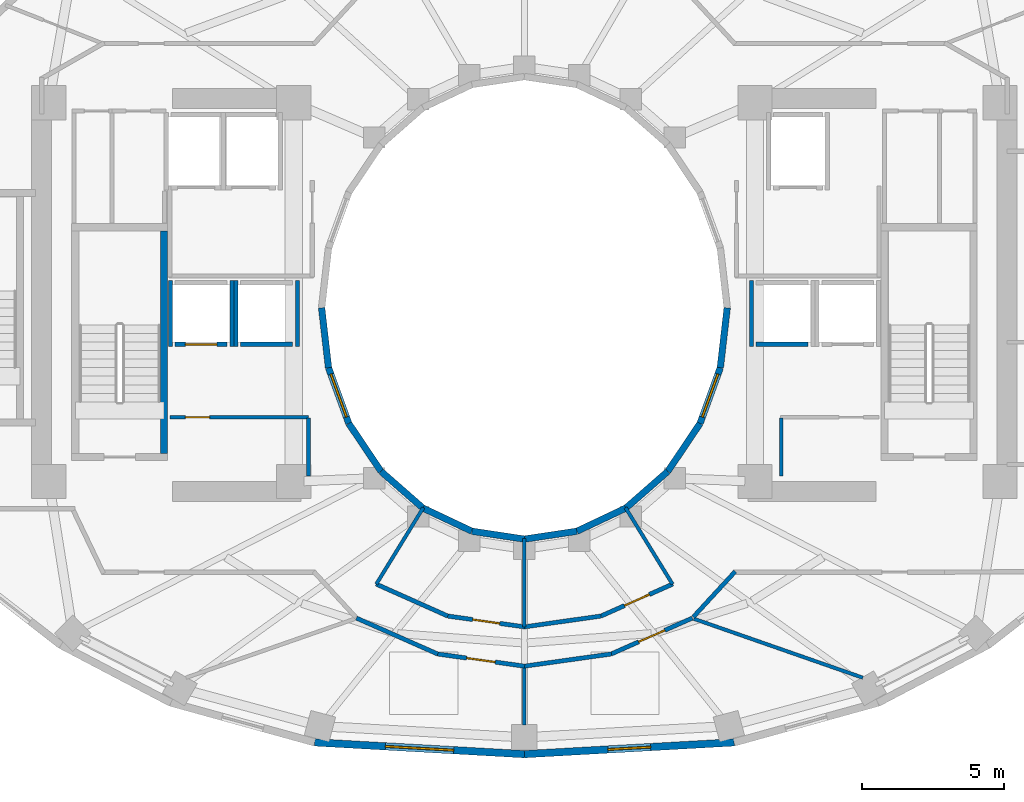
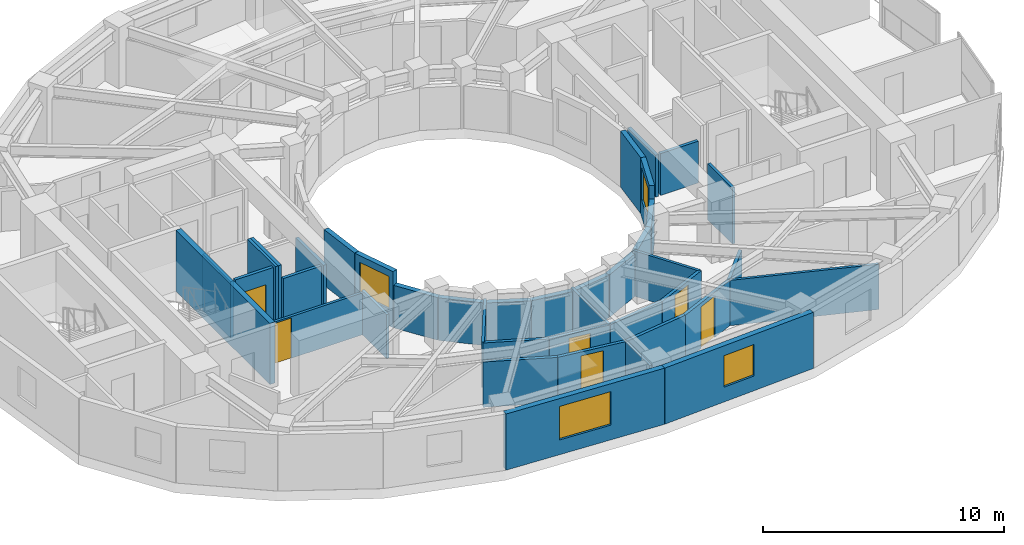
# One storey, part 6 of 13: 40 walls, 6 doors, 4 windows, 10 openings.
"""IFC4 building model written with IfcOpenShell, lengths in metres."""

import ifcopenshell
import ifcopenshell.guid

model = None  # the IFC model being written
_history = None  # IfcOwnerHistory: only IFC2X3 demands one
_inside = {}  # id of a spatial element -> (the spatial element, [elements in it])
_under = {}  # id of a project, library or spatial element -> (it, [spatial elements below it])
_declared = {}  # id of a project -> (the project, [libraries it declares])
_typed = {}  # id of a type object -> (the type object, [elements of that type])
_made_of = {}  # id of a material, layer set ... -> (it, [elements and type objects made of it])


def new_model(schema):
    """Start an empty IFC model of exactly this schema.

    Asked for "IFC4X3", IfcOpenShell would pick the latest addendum, in which some entities
    have other attributes; the version numbers below select the first issue.
    IFC2X3 requires an IfcOwnerHistory on every rooted entity: one is made here for all.
    """
    global model, _history
    if schema == "IFC4X3":
        model = ifcopenshell.file(schema_version=(4, 3, 0, 0))
    else:
        model = ifcopenshell.file(schema=schema)
    _inside.clear()
    _under.clear()
    _declared.clear()
    _typed.clear()
    _made_of.clear()
    _history = None
    if model.schema == "IFC2X3":
        org = make("IfcOrganization", Name="unknown")
        user = make(
            "IfcPersonAndOrganization",
            ThePerson=make("IfcPerson", FamilyName="unknown"),
            TheOrganization=org,
        )
        app = make(
            "IfcApplication",
            ApplicationDeveloper=org,
            Version="unknown",
            ApplicationFullName="unknown",
            ApplicationIdentifier="unknown",
        )
        _history = make(
            "IfcOwnerHistory",
            OwningUser=user,
            OwningApplication=app,
            ChangeAction="ADDED",
            CreationDate=0,
        )
    return model


def make(cls, **values):
    """One entity of the class cls with the attributes given. An attribute that is None is left unset."""
    return model.create_entity(
        cls, **{name: value for name, value in values.items() if value is not None}
    )


def rooted(cls, **values):
    """An entity with a GlobalId (a new one), such as an element, a storey or a relation."""
    return make(cls, GlobalId=ifcopenshell.guid.new(), OwnerHistory=_history, **values)


def si_unit(unit_type, name, prefix=None):
    """IfcSIUnit, for example si_unit("LENGTHUNIT", "METRE", prefix="MILLI")."""
    return make("IfcSIUnit", UnitType=unit_type, Prefix=prefix, Name=name)


def assignment(units):
    """IfcUnitAssignment: the units of a project."""
    return None if units is None else make("IfcUnitAssignment", Units=units)


def point(xyz):
    """IfcCartesianPoint."""
    return None if xyz is None else make("IfcCartesianPoint", Coordinates=xyz)


def direction(xyz):
    """IfcDirection."""
    return None if xyz is None else make("IfcDirection", DirectionRatios=xyz)


def frame(location, z_axis=None, x_axis=None):
    """IfcAxis2Placement3D, a coordinate frame: its origin and axes. An axis left out is left unset."""
    return make(
        "IfcAxis2Placement3D",
        Location=point(location),
        Axis=direction(z_axis),
        RefDirection=direction(x_axis),
    )


def frame_2d(location, x_axis=None):
    """IfcAxis2Placement2D, a coordinate frame in the plane: its origin and x axis."""
    return make(
        "IfcAxis2Placement2D", Location=point(location), RefDirection=direction(x_axis)
    )


def origin():
    """The frame at (0, 0, 0) with its axes left unset."""
    return frame((0.0, 0.0, 0.0))


def place(relative_to, where):
    """IfcLocalPlacement: puts the frame where relative to a parent placement (None: the world)."""
    return make(
        "IfcLocalPlacement", PlacementRelTo=relative_to, RelativePlacement=where
    )


def context(
    kind, dimensions, precision=None, world=None, true_north=None, identifier=None
):
    """IfcGeometricRepresentationContext, for example the 3D "Model" context."""
    return make(
        "IfcGeometricRepresentationContext",
        ContextIdentifier=identifier,
        ContextType=kind,
        CoordinateSpaceDimension=dimensions,
        Precision=precision,
        WorldCoordinateSystem=world,
        TrueNorth=true_north,
    )


def subcontext(parent, identifier, kind, view, scale=None):
    """IfcGeometricRepresentationSubContext, for example "Body" below "Model"."""
    return make(
        "IfcGeometricRepresentationSubContext",
        ContextIdentifier=identifier,
        ContextType=kind,
        ParentContext=parent,
        TargetScale=scale,
        TargetView=view,
    )


def project(units=None, contexts=None):
    """IfcProject with its units and contexts."""
    return rooted(
        "IfcProject",
        Name="project",
        RepresentationContexts=contexts,
        UnitsInContext=assignment(units),
    )


def spatial(cls, under=None, at=None, **own):
    """A site, building, storey or space (cls), placed at a placement, below another one or the project."""
    s = rooted(cls, ObjectPlacement=at, **own)
    if under is not None:
        _under.setdefault(under.id(), (under, []))[1].append(s)
    return s


def profile(cls, at=None, kind="AREA", **sizes):
    """A parametric profile (cls). Its sizes go by their IFC names, for example OverallWidth=200.0."""
    return make(cls, ProfileType=kind, Position=at, **sizes)


def rectangle(**sizes):
    """IfcRectangleProfileDef."""
    return profile("IfcRectangleProfileDef", **sizes)


def extrude(swept, where, along, depth):
    """IfcExtrudedAreaSolid: the profile swept, set in the frame where, extruded along a direction by depth."""
    return make(
        "IfcExtrudedAreaSolid",
        SweptArea=swept,
        Position=where,
        ExtrudedDirection=direction(along),
        Depth=depth,
    )


def shape(context_of_items, identifier, shape_type, items):
    """IfcShapeRepresentation: the items that make up one representation, for example the "Body"."""
    return make(
        "IfcShapeRepresentation",
        ContextOfItems=context_of_items,
        RepresentationIdentifier=identifier,
        RepresentationType=shape_type,
        Items=items,
    )


def material(Name=None, Category=None):
    """IfcMaterial."""
    return make("IfcMaterial", Name=Name, Category=Category)


def layer(
    of_material, thickness, ventilated=None, Name=None, Category=None, Priority=None
):
    """IfcMaterialLayer: one layer of a wall or slab, of a material (None: an air gap)."""
    return make(
        "IfcMaterialLayer",
        Material=of_material,
        LayerThickness=thickness,
        IsVentilated=ventilated,
        Name=Name,
        Category=Category,
        Priority=Priority,
    )


def layer_set(layers, Name=None):
    """IfcMaterialLayerSet."""
    return make("IfcMaterialLayerSet", MaterialLayers=layers, LayerSetName=Name)


def made_of(thing, what):
    """Note that an element or type object is made of a material, layer set ...; save() writes the relation."""
    if what is not None:
        _made_of.setdefault(what.id(), (what, []))[1].append(thing)
    return thing


def type_object(cls, material=None, **own):
    """A type object (cls), such as IfcWallType, which elements share."""
    return made_of(rooted(cls, **own), material)


def element(
    cls,
    number,
    at=None,
    inside=None,
    cuts=None,
    type_object=None,
    material=None,
    context=None,
    identifier="Body",
    shape_type=None,
    held_by="IfcProductDefinitionShape",
    body=None,
    shapes=None,
    **own,
):
    """One element of the class cls, such as IfcWall. Its Tag is "e" and its number.

    at: its placement. inside: the storey or other place that contains it. cuts: it is an
    opening in that element (IfcRelVoidsElement). A single representation is given by context,
    identifier, shape_type and body (its items); several are given by shapes. held_by: the class
    of the entity that holds the representations. save() writes the other relations.
    """
    e = rooted(cls, Tag="e%d" % number, ObjectPlacement=at, **own)
    if body is not None:
        shapes = [shape(context, identifier, shape_type, body)]
    if shapes is not None:
        e.Representation = make(held_by, Representations=shapes)
    if inside is not None:
        _inside.setdefault(inside.id(), (inside, []))[1].append(e)
    if cuts is not None:
        rooted(
            "IfcRelVoidsElement", RelatingBuildingElement=cuts, RelatedOpeningElement=e
        )
    if type_object is not None:
        _typed.setdefault(type_object.id(), (type_object, []))[1].append(e)
    return made_of(e, material)


def fill(opening, filler):
    """IfcRelFillsElement: the door or window that sits in an opening."""
    return rooted(
        "IfcRelFillsElement",
        RelatingOpeningElement=opening,
        RelatedBuildingElement=filler,
    )


def aggregate(whole, parts):
    """IfcRelAggregates: a whole, such as a stair, and the parts it consists of."""
    return rooted("IfcRelAggregates", RelatingObject=whole, RelatedObjects=parts)


def save(model, path):
    """Write the relations noted so far, then the file.

    IfcRelAggregates (storeys below a building ...), IfcRelContainedInSpatialStructure (elements
    in a storey), IfcRelDefinesByType, IfcRelAssociatesMaterial and IfcRelDeclares: one each for
    every whole, place, type object, material and project.
    """
    for whole, parts in _under.values():
        aggregate(whole, parts)
    for where, things in _inside.values():
        rooted(
            "IfcRelContainedInSpatialStructure",
            RelatedElements=things,
            RelatingStructure=where,
        )
    for kind, things in _typed.values():
        rooted("IfcRelDefinesByType", RelatedObjects=things, RelatingType=kind)
    for what, things in _made_of.values():
        rooted("IfcRelAssociatesMaterial", RelatedObjects=things, RelatingMaterial=what)
    for by, libraries in _declared.values():
        rooted("IfcRelDeclares", RelatingContext=by, RelatedDefinitions=libraries)
    model.write(path)


model = new_model("IFC4")

# Units and contexts
model_context = context("Model", 3, precision=1e-05, world=origin(), true_north=direction((0.0, 1.0)))
body_context = subcontext(model_context, "Body", "Model", "MODEL_VIEW")
ifc_project = project(units=[si_unit("LENGTHUNIT", "METRE"), si_unit("AREAUNIT", "SQUARE_METRE"), si_unit("VOLUMEUNIT", "CUBIC_METRE"), si_unit("PLANEANGLEUNIT", "RADIAN"), si_unit("MASSUNIT", "GRAM", prefix="KILO")], contexts=[model_context])

# Site, building, storey
site_placement = place(None, origin())
site = spatial("IfcSite", under=ifc_project, at=site_placement, CompositionType="ELEMENT")
building_placement = place(site_placement, origin())
building = spatial("IfcBuilding", under=site, at=building_placement, Name="Solvane Sanctuary Tower", CompositionType="ELEMENT")
storey_placement = place(building_placement, frame((0.0, 0.0, 152.89990234375)))
storey = spatial("IfcBuildingStorey", under=building, at=storey_placement, Name="L46", CompositionType="ELEMENT", Elevation=152.89990234375)

# Walls
ifc_material_1 = material(Name="Acoustic Gypsum Partition Board")
ifc_layer_1 = layer(ifc_material_1, 0.14990234375, Name="Acoustic Gypsum Partition Board")
ifc_layer_set_1 = layer_set([ifc_layer_1], Name="Acoustic Gypsum Partition Board")
wall_type_1 = type_object("IfcWallType", Name="Wall W-CORR-150", PredefinedType="PARTITIONING", material=ifc_layer_set_1)
wall_1_placement = place(storey_placement, frame((37.92822265625, 12.144287109375, 0.0), z_axis=(0.0, 0.0, 1.0), x_axis=(0.677579737957, 0.735449317567, 0.0)))
element("IfcWall", 1, at=wall_1_placement, inside=storey, type_object=wall_type_1, Name="L46 SE Corner Throat Wall", PredefinedType="PARTITIONING", context=body_context, shape_type="SweptSolid", body=[
    extrude(rectangle(XDim=2.172607421875, YDim=0.14990234375, at=frame_2d((1.08642578125, 0.0))), origin(), (0.0, 0.0, 1.0), 2.299072265625),
])
wall_2_placement = place(storey_placement, frame((26.792724609375, 13.302734375, 0.0), z_axis=(0.0, 0.0, 1.0), x_axis=(0.913145536541, -0.407633694749, 0.0)))
element("IfcWall", 2, at=wall_2_placement, inside=storey, type_object=wall_type_1, Name="L46 Inner Light-Well Corridor Wall S1", PredefinedType="PARTITIONING", context=body_context, shape_type="SweptSolid", body=[
    extrude(rectangle(XDim=2.75634765625, YDim=0.14990234375, at=frame_2d((1.378173828125, 0.0))), origin(), (0.0, 0.0, 1.0), 2.299072265625),
])

# Wall, opening, door
wall_3_placement = place(storey_placement, frame((29.305908203125, 12.18017578125, 0.0), z_axis=(0.0, 0.0, 1.0), x_axis=(0.990145400278, -0.140043158738, 0.0)))
wall_3 = element("IfcWall", 3, at=wall_3_placement, inside=storey, type_object=wall_type_1, Name="L46 Inner Light-Well Corridor Wall S1", PredefinedType="PARTITIONING", context=body_context, shape_type="SweptSolid", body=[
    extrude(rectangle(XDim=2.728271484375, YDim=0.14990234375, at=frame_2d((1.3642578125, 0.0))), origin(), (0.0, 0.0, 1.0), 2.299072265625),
])
opening_1_placement = place(wall_3_placement, frame((0.88916015625, 0.0, 0.0)))
opening_1 = element("IfcOpeningElement", 4, at=opening_1_placement, cuts=wall_3, Name="Opening D-L46-21", PredefinedType="OPENING", context=body_context, shape_type="SweptSolid", body=[
    extrude(rectangle(XDim=0.949951171875, YDim=2.10009765625, at=frame_2d((0.47509765625, 1.050048828125))), frame((0.0, 0.0849609375, 0.0), z_axis=(0.0, -1.0, 0.0), x_axis=(1.0, 0.0, 0.0)), (0.0, 0.0, 1.0), 0.169921875),
])
ifc_material_2 = material(Name="Engineered Tropical Hardwood", Category="wood")
door_type_1 = type_object("IfcDoorType", Name="Door D-ROOM-950", OperationType="NOTDEFINED", PredefinedType="DOOR", material=ifc_material_2)
door_1_placement = place(opening_1_placement, origin())
door_1 = element("IfcDoor", 5, at=door_1_placement, inside=storey, type_object=door_type_1, Name="L46 Inner Light-Well Salon Door S1", OperationType="SINGLE_SWING_LEFT", OverallHeight=2.10009765625, OverallWidth=0.949951171875, PredefinedType="DOOR", context=body_context, shape_type="SweptSolid", body=[
    extrude(rectangle(XDim=0.949951171875, YDim=2.10009765625, at=frame_2d((0.47509765625, 1.050048828125))), frame((0.0, 0.02490234375, 0.0), z_axis=(0.0, -1.0, 0.0), x_axis=(1.0, 0.0, 0.0)), (0.0, 0.0, 1.0), 0.050048828125),
])
fill(opening_1, door_1)

# Wall
wall_4_placement = place(storey_placement, frame((31.99267578125, 11.798095703125, 0.0), z_axis=(0.0, 0.0, 1.0), x_axis=(0.990145400278, 0.140043158738, 0.0)))
element("IfcWall", 6, at=wall_4_placement, inside=storey, type_object=wall_type_1, Name="L46 Inner Light-Well Corridor Wall S2", PredefinedType="PARTITIONING", context=body_context, shape_type="SweptSolid", body=[
    extrude(rectangle(XDim=2.728271484375, YDim=0.14990234375, at=frame_2d((1.3642578125, 0.0))), origin(), (0.0, 0.0, 1.0), 2.299072265625),
])

# Wall, opening, door
wall_5_placement = place(storey_placement, frame((34.6904296875, 12.17919921875, 0.0), z_axis=(0.0, 0.0, 1.0), x_axis=(0.913145536541, 0.407633694749, 0.0)))
wall_5 = element("IfcWall", 7, at=wall_5_placement, inside=storey, type_object=wall_type_1, Name="L46 Inner Light-Well Corridor Wall S2", PredefinedType="PARTITIONING", context=body_context, shape_type="SweptSolid", body=[
    extrude(rectangle(XDim=2.75634765625, YDim=0.14990234375, at=frame_2d((1.378173828125, 0.0))), origin(), (0.0, 0.0, 1.0), 2.299072265625),
])
opening_2_placement = place(wall_5_placement, frame((0.903076171875, 0.0, 0.0)))
opening_2 = element("IfcOpeningElement", 8, at=opening_2_placement, cuts=wall_5, Name="Opening D-L46-22", PredefinedType="OPENING", context=body_context, shape_type="SweptSolid", body=[
    extrude(rectangle(XDim=0.949951171875, YDim=2.10009765625, at=frame_2d((0.47509765625, 1.050048828125))), frame((0.0, 0.0849609375, 0.0), z_axis=(0.0, -1.0, 0.0), x_axis=(1.0, 0.0, 0.0)), (0.0, 0.0, 1.0), 0.169921875),
])
door_2_placement = place(opening_2_placement, origin())
door_2 = element("IfcDoor", 9, at=door_2_placement, inside=storey, type_object=door_type_1, Name="L46 Inner Light-Well Salon Door S2", OperationType="SINGLE_SWING_RIGHT", OverallHeight=2.10009765625, OverallWidth=0.949951171875, PredefinedType="DOOR", context=body_context, shape_type="SweptSolid", body=[
    extrude(rectangle(XDim=0.949951171875, YDim=2.10009765625, at=frame_2d((0.47509765625, 1.050048828125))), frame((0.0, 0.02490234375, 0.0), z_axis=(0.0, -1.0, 0.0), x_axis=(1.0, 0.0, 0.0)), (0.0, 0.0, 1.0), 0.050048828125),
])
fill(opening_2, door_2)

# Wall
wall_6_placement = place(storey_placement, frame((26.101806640625, 12.108154296875, 0.0), z_axis=(0.0, 0.0, 1.0), x_axis=(0.914519212393, -0.40454247016, 0.0)))
element("IfcWall", 10, at=wall_6_placement, inside=storey, type_object=wall_type_1, Name="L46 Unit Corridor Wall S1", PredefinedType="PARTITIONING", context=body_context, shape_type="SweptSolid", body=[
    extrude(rectangle(XDim=3.123779296875, YDim=0.14990234375, at=frame_2d((1.56201171875, 0.0))), origin(), (0.0, 0.0, 1.0), 2.299072265625),
])

# Wall, opening, door
wall_7_placement = place(storey_placement, frame((28.942626953125, 10.84912109375, 0.0), z_axis=(0.0, 0.0, 1.0), x_axis=(0.990254709652, -0.13926812274, 0.0)))
wall_7 = element("IfcWall", 11, at=wall_7_placement, inside=storey, type_object=wall_type_1, Name="L46 Unit Corridor Wall S1", PredefinedType="PARTITIONING", context=body_context, shape_type="SweptSolid", body=[
    extrude(rectangle(XDim=3.095947265625, YDim=0.14990234375, at=frame_2d((1.5478515625, 0.0))), origin(), (0.0, 0.0, 1.0), 2.299072265625),
])
opening_3_placement = place(wall_7_placement, frame((1.0478515625, 0.0, 0.0)))
opening_3 = element("IfcOpeningElement", 12, at=opening_3_placement, cuts=wall_7, Name="Opening D-L46-28", PredefinedType="OPENING", context=body_context, shape_type="SweptSolid", body=[
    extrude(rectangle(XDim=1.0, YDim=2.10009765625, at=frame_2d((0.5, 1.050048828125))), frame((0.0, 0.0849609375, 0.0), z_axis=(0.0, -1.0, 0.0), x_axis=(1.0, 0.0, 0.0)), (0.0, 0.0, 1.0), 0.169921875),
])
door_type_2 = type_object("IfcDoorType", Name="Door D-UNIT", OperationType="NOTDEFINED", PredefinedType="DOOR", material=ifc_material_2)
door_3_placement = place(opening_3_placement, origin())
door_3 = element("IfcDoor", 13, at=door_3_placement, inside=storey, type_object=door_type_2, Name="L46 Unit Entrance Door S1", OperationType="SINGLE_SWING_RIGHT", OverallHeight=2.10009765625, OverallWidth=1.0, PredefinedType="DOOR", context=body_context, shape_type="SweptSolid", body=[
    extrude(rectangle(XDim=1.0, YDim=2.10009765625, at=frame_2d((0.5, 1.050048828125))), frame((0.0, 0.02490234375, 0.0), z_axis=(0.0, -1.0, 0.0), x_axis=(1.0, 0.0, 0.0)), (0.0, 0.0, 1.0), 0.050048828125),
])
fill(opening_3, door_3)

# Wall
wall_8_placement = place(storey_placement, frame((31.99169921875, 10.41796875, 0.0), z_axis=(0.0, 0.0, 1.0), x_axis=(0.990254709652, 0.13926812274, 0.0)))
element("IfcWall", 14, at=wall_8_placement, inside=storey, type_object=wall_type_1, Name="L46 Unit Corridor Wall S2", PredefinedType="PARTITIONING", context=body_context, shape_type="SweptSolid", body=[
    extrude(rectangle(XDim=3.095947265625, YDim=0.14990234375, at=frame_2d((1.5478515625, 0.0))), origin(), (0.0, 0.0, 1.0), 2.299072265625),
])

# Wall, opening, door
wall_9_placement = place(storey_placement, frame((35.04150390625, 10.844482421875, 0.0), z_axis=(0.0, 0.0, 1.0), x_axis=(0.914519212393, 0.40454247016, 0.0)))
wall_9 = element("IfcWall", 15, at=wall_9_placement, inside=storey, type_object=wall_type_1, Name="L46 Unit Corridor Wall S2", PredefinedType="PARTITIONING", context=body_context, shape_type="SweptSolid", body=[
    extrude(rectangle(XDim=3.123779296875, YDim=0.14990234375, at=frame_2d((1.56201171875, 0.0))), origin(), (0.0, 0.0, 1.0), 2.299072265625),
])
opening_4_placement = place(wall_9_placement, frame((1.061767578125, 0.0, 0.0)))
opening_4 = element("IfcOpeningElement", 16, at=opening_4_placement, cuts=wall_9, Name="Opening D-L46-29", PredefinedType="OPENING", context=body_context, shape_type="SweptSolid", body=[
    extrude(rectangle(XDim=1.0, YDim=2.10009765625, at=frame_2d((0.5, 1.050048828125))), frame((0.0, 0.0849609375, 0.0), z_axis=(0.0, -1.0, 0.0), x_axis=(1.0, 0.0, 0.0)), (0.0, 0.0, 1.0), 0.169921875),
])
door_4_placement = place(opening_4_placement, origin())
door_4 = element("IfcDoor", 17, at=door_4_placement, inside=storey, type_object=door_type_2, Name="L46 Unit Entrance Door S2", OperationType="SINGLE_SWING_LEFT", OverallHeight=2.10009765625, OverallWidth=1.0, PredefinedType="DOOR", context=body_context, shape_type="SweptSolid", body=[
    extrude(rectangle(XDim=1.0, YDim=2.10009765625, at=frame_2d((0.5, 1.050048828125))), frame((0.0, 0.02490234375, 0.0), z_axis=(0.0, -1.0, 0.0), x_axis=(1.0, 0.0, 0.0)), (0.0, 0.0, 1.0), 0.050048828125),
])
fill(opening_4, door_4)

# Wall, opening, window
ifc_material_3 = material(Name="Precast concrete C40/50", Category="concrete")
ifc_layer_2 = layer(ifc_material_3, 0.260009765625, Name="Precast concrete C40/50")
ifc_layer_set_2 = layer_set([ifc_layer_2], Name="Precast concrete C40/50")
wall_type_2 = type_object("IfcWallType", Name="Wall W-EXT-250", PredefinedType="STANDARD", material=ifc_layer_set_2)
wall_10_placement = place(storey_placement, frame((24.634765625, 7.743408203125, 0.0), z_axis=(0.0, 0.0, 1.0), x_axis=(0.998417906562, -0.056228852534, 0.0)))
wall_10 = element("IfcWall", 18, at=wall_10_placement, inside=storey, type_object=wall_type_2, Name="L46 Ceramic-Printed Facade Wall 17", PredefinedType="STANDARD", context=body_context, shape_type="SweptSolid", body=[
    extrude(rectangle(XDim=7.376953125, YDim=0.260009765625, at=frame_2d((3.6884765625, 0.0))), origin(), (0.0, 0.0, 1.0), 2.85009765625),
])
opening_5_placement = place(wall_10_placement, frame((2.48828125, 0.0, 0.75)))
opening_5 = element("IfcOpeningElement", 19, at=opening_5_placement, cuts=wall_10, Name="Opening WN-RIB-2400", PredefinedType="OPENING", context=body_context, shape_type="SweptSolid", body=[
    extrude(rectangle(XDim=2.39990234375, YDim=1.699951171875, at=frame_2d((1.199951171875, 0.85009765625))), frame((0.0, 0.139892578125, 0.0), z_axis=(0.0, -1.0, 0.0), x_axis=(1.0, 0.0, 0.0)), (0.0, 0.0, 1.0), 0.280029296875),
])
ifc_material_4 = material(Name="Dark Ceramic-Fritted Low-E Glass", Category="glass")
window_type_1 = type_object("IfcWindowType", Name="Window WN-RIB-2400", PartitioningType="SINGLE_PANEL", PredefinedType="WINDOW", material=ifc_material_4)
window_1_placement = place(opening_5_placement, origin())
window_1 = element("IfcWindow", 20, at=window_1_placement, inside=storey, type_object=window_type_1, Name="L46 Operable Facade Window 17", OverallHeight=1.699951171875, OverallWidth=2.39990234375, PartitioningType="SINGLE_PANEL", PredefinedType="WINDOW", context=body_context, shape_type="SweptSolid", body=[
    extrude(rectangle(XDim=2.39990234375, YDim=1.699951171875, at=frame_2d((1.199951171875, 0.85009765625))), frame((0.0, 0.030029296875, 0.0), z_axis=(0.0, -1.0, 0.0), x_axis=(1.0, 0.0, 0.0)), (0.0, 0.0, 1.0), 0.06005859375),
])
fill(opening_5, window_1)

wall_11_placement = place(storey_placement, frame((32.0, 7.32861328125, 0.0), z_axis=(0.0, 0.0, 1.0), x_axis=(0.998417906562, 0.056228852534, 0.0)))
wall_11 = element("IfcWall", 21, at=wall_11_placement, inside=storey, type_object=wall_type_2, Name="L46 Ceramic-Printed Facade Wall 18", PredefinedType="STANDARD", context=body_context, shape_type="SweptSolid", body=[
    extrude(rectangle(XDim=7.376953125, YDim=0.260009765625, at=frame_2d((3.6884765625, 0.0))), origin(), (0.0, 0.0, 1.0), 2.85009765625),
])
opening_6_placement = place(wall_11_placement, frame((2.9384765625, 0.0, 0.75)))
opening_6 = element("IfcOpeningElement", 22, at=opening_6_placement, cuts=wall_11, Name="Opening WN-OPER-1500", PredefinedType="OPENING", context=body_context, shape_type="SweptSolid", body=[
    extrude(rectangle(XDim=1.5, YDim=1.60009765625, at=frame_2d((0.75, 0.800048828125))), frame((0.0, 0.139892578125, 0.0), z_axis=(0.0, -1.0, 0.0), x_axis=(1.0, 0.0, 0.0)), (0.0, 0.0, 1.0), 0.280029296875),
])
window_type_2 = type_object("IfcWindowType", Name="Window WN-OPER-1500", PartitioningType="SINGLE_PANEL", PredefinedType="WINDOW", material=ifc_material_4)
window_2_placement = place(opening_6_placement, origin())
window_2 = element("IfcWindow", 23, at=window_2_placement, inside=storey, type_object=window_type_2, Name="L46 Operable Facade Window 18", OverallHeight=1.60009765625, OverallWidth=1.5, PartitioningType="SINGLE_PANEL", PredefinedType="WINDOW", context=body_context, shape_type="SweptSolid", body=[
    extrude(rectangle(XDim=1.5, YDim=1.60009765625, at=frame_2d((0.75, 0.800048828125))), frame((0.0, 0.030029296875, 0.0), z_axis=(0.0, -1.0, 0.0), x_axis=(1.0, 0.0, 0.0)), (0.0, 0.0, 1.0), 0.06005859375),
])
fill(opening_6, window_2)

# Wall
ifc_layer_3 = layer(ifc_material_3, 0.22998046875, Name="Precast concrete C40/50")
ifc_layer_set_3 = layer_set([ifc_layer_3], Name="Precast concrete C40/50")
wall_type_3 = type_object("IfcWallType", Name="Wall W-EXT-SP220", PredefinedType="STANDARD", material=ifc_layer_set_3)
wall_12_placement = place(storey_placement, frame((24.8798828125, 23.0, 0.0), z_axis=(0.0, 0.0, 1.0), x_axis=(0.114711713601, -0.993398823617, 0.0)))
element("IfcWall", 24, at=wall_12_placement, inside=storey, type_object=wall_type_3, Name="L46 Central Light-Well Wall 12", PredefinedType="STANDARD", context=body_context, shape_type="SweptSolid", body=[
    extrude(rectangle(XDim=2.115478515625, YDim=0.22998046875, at=frame_2d((1.0576171875, 0.0))), origin(), (0.0, 0.0, 1.0), 2.840087890625),
])

# Wall, opening, window
wall_13_placement = place(storey_placement, frame((25.12255859375, 20.8984375, 0.0), z_axis=(0.0, 0.0, 1.0), x_axis=(0.341423187295, -0.93990968033, 0.0)))
wall_13 = element("IfcWall", 25, at=wall_13_placement, inside=storey, type_object=wall_type_3, Name="L46 Central Light-Well Wall 13", PredefinedType="STANDARD", context=body_context, shape_type="SweptSolid", body=[
    extrude(rectangle(XDim=2.083740234375, YDim=0.22998046875, at=frame_2d((1.0419921875, 0.0))), origin(), (0.0, 0.0, 1.0), 2.840087890625),
])
opening_7_placement = place(wall_13_placement, frame((0.24169921875, 0.0, 0.85009765625)))
opening_7 = element("IfcOpeningElement", 26, at=opening_7_placement, cuts=wall_13, Name="Opening WN-WELL-1600", PredefinedType="OPENING", context=body_context, shape_type="SweptSolid", body=[
    extrude(rectangle(XDim=1.60009765625, YDim=1.64990234375, at=frame_2d((0.800048828125, 0.824951171875))), frame((0.0, 0.125, 0.0), z_axis=(0.0, -1.0, 0.0), x_axis=(1.0, 0.0, 0.0)), (0.0, 0.0, 1.0), 0.25),
])
ifc_material_5 = material(Name="Clear Laminated Light-Well Glass", Category="glass")
window_type_3 = type_object("IfcWindowType", Name="Window WN-WELL-1600", PartitioningType="SINGLE_PANEL", PredefinedType="WINDOW", material=ifc_material_5)
window_3_placement = place(opening_7_placement, origin())
window_3 = element("IfcWindow", 27, at=window_3_placement, inside=storey, type_object=window_type_3, Name="L46 Light-Well Daylight Window 13", OverallHeight=1.64990234375, OverallWidth=1.60009765625, PartitioningType="SINGLE_PANEL", PredefinedType="WINDOW", context=body_context, shape_type="SweptSolid", body=[
    extrude(rectangle(XDim=1.60009765625, YDim=1.64990234375, at=frame_2d((0.800048828125, 0.824951171875))), frame((0.0, 0.030029296875, 0.0), z_axis=(0.0, -1.0, 0.0), x_axis=(1.0, 0.0, 0.0)), (0.0, 0.0, 1.0), 0.06005859375),
])
fill(opening_7, window_3)

# Walls
wall_14_placement = place(storey_placement, frame((25.833984375, 18.93994140625, 0.0), z_axis=(0.0, 0.0, 1.0), x_axis=(0.558197800898, -0.829707909492, 0.0)))
element("IfcWall", 28, at=wall_14_placement, inside=storey, type_object=wall_type_3, Name="L46 Central Light-Well Wall 14", PredefinedType="STANDARD", context=body_context, shape_type="SweptSolid", body=[
    extrude(rectangle(XDim=2.02685546875, YDim=0.22998046875, at=frame_2d((1.013427734375, 0.0))), origin(), (0.0, 0.0, 1.0), 2.16015625),
])
wall_15_placement = place(storey_placement, frame((26.96533203125, 17.25830078125, 0.0), z_axis=(0.0, 0.0, 1.0), x_axis=(0.752576694707, -0.658504607869, 0.0)))
element("IfcWall", 29, at=wall_15_placement, inside=storey, type_object=wall_type_3, Name="L46 Central Light-Well Wall 15", PredefinedType="STANDARD", context=body_context, shape_type="SweptSolid", body=[
    extrude(rectangle(XDim=1.95947265625, YDim=0.22998046875, at=frame_2d((0.979736328125, 0.0))), origin(), (0.0, 0.0, 1.0), 2.16015625),
])
wall_16_placement = place(storey_placement, frame((28.43994140625, 15.968017578125, 0.0), z_axis=(0.0, 0.0, 1.0), x_axis=(0.904179699603, -0.427152280606, 0.0)))
element("IfcWall", 30, at=wall_16_placement, inside=storey, type_object=wall_type_3, Name="L46 Central Light-Well Wall 16", PredefinedType="STANDARD", context=body_context, shape_type="SweptSolid", body=[
    extrude(rectangle(XDim=1.899169921875, YDim=0.22998046875, at=frame_2d((0.94970703125, 0.0))), origin(), (0.0, 0.0, 1.0), 2.16015625),
])
for number, where, z_axis, x_axis, name in (
    (31, (30.1572265625, 15.15673828125, 0.0), (0.0, 0.0, 1.0), (0.988901730308, -0.148571086668, 0.0), "L46 Central Light-Well Wall 17"),
    (32, (32.0, 14.8798828125, 0.0), (0.0, 0.0, 1.0), (0.988901730308, 0.148571086668, 0.0), "L46 Central Light-Well Wall 18"),
):
    element("IfcWall", number, at=place(storey_placement, frame(where, z_axis=z_axis, x_axis=x_axis)), inside=storey, type_object=wall_type_3, Name=name, PredefinedType="STANDARD", context=body_context, shape_type="SweptSolid", body=[
        extrude(rectangle(XDim=1.863525390625, YDim=0.22998046875, at=frame_2d((0.931640625, 0.0))), origin(), (0.0, 0.0, 1.0), 2.16015625),
    ])
wall_17_placement = place(storey_placement, frame((33.8427734375, 15.15673828125, 0.0), z_axis=(0.0, 0.0, 1.0), x_axis=(0.904179699603, 0.427152280606, 0.0)))
element("IfcWall", 33, at=wall_17_placement, inside=storey, type_object=wall_type_3, Name="L46 Central Light-Well Wall 19", PredefinedType="STANDARD", context=body_context, shape_type="SweptSolid", body=[
    extrude(rectangle(XDim=1.899169921875, YDim=0.22998046875, at=frame_2d((0.94970703125, 0.0))), origin(), (0.0, 0.0, 1.0), 2.16015625),
])
wall_18_placement = place(storey_placement, frame((35.56005859375, 15.968017578125, 0.0), z_axis=(0.0, 0.0, 1.0), x_axis=(0.752576694707, 0.658504607869, 0.0)))
element("IfcWall", 34, at=wall_18_placement, inside=storey, type_object=wall_type_3, Name="L46 Central Light-Well Wall 20", PredefinedType="STANDARD", context=body_context, shape_type="SweptSolid", body=[
    extrude(rectangle(XDim=1.95947265625, YDim=0.22998046875, at=frame_2d((0.979736328125, 0.0))), origin(), (0.0, 0.0, 1.0), 2.16015625),
])
wall_19_placement = place(storey_placement, frame((37.03466796875, 17.25830078125, 0.0), z_axis=(0.0, 0.0, 1.0), x_axis=(0.558197800898, 0.829707909492, 0.0)))
element("IfcWall", 35, at=wall_19_placement, inside=storey, type_object=wall_type_3, Name="L46 Central Light-Well Wall 21", PredefinedType="STANDARD", context=body_context, shape_type="SweptSolid", body=[
    extrude(rectangle(XDim=2.02685546875, YDim=0.22998046875, at=frame_2d((1.013427734375, 0.0))), origin(), (0.0, 0.0, 1.0), 2.16015625),
])

# Wall, opening, window
wall_20_placement = place(storey_placement, frame((38.166015625, 18.93994140625, 0.0), z_axis=(0.0, 0.0, 1.0), x_axis=(0.341423187295, 0.93990968033, 0.0)))
wall_20 = element("IfcWall", 36, at=wall_20_placement, inside=storey, type_object=wall_type_3, Name="L46 Central Light-Well Wall 22", PredefinedType="STANDARD", context=body_context, shape_type="SweptSolid", body=[
    extrude(rectangle(XDim=2.083740234375, YDim=0.22998046875, at=frame_2d((1.0419921875, 0.0))), origin(), (0.0, 0.0, 1.0), 2.840087890625),
])
opening_8_placement = place(wall_20_placement, frame((0.24169921875, 0.0, 0.85009765625)))
opening_8 = element("IfcOpeningElement", 37, at=opening_8_placement, cuts=wall_20, Name="Opening WN-WELL-1600", PredefinedType="OPENING", context=body_context, shape_type="SweptSolid", body=[
    extrude(rectangle(XDim=1.60009765625, YDim=1.64990234375, at=frame_2d((0.800048828125, 0.824951171875))), frame((0.0, 0.125, 0.0), z_axis=(0.0, -1.0, 0.0), x_axis=(1.0, 0.0, 0.0)), (0.0, 0.0, 1.0), 0.25),
])
window_4_placement = place(opening_8_placement, origin())
window_4 = element("IfcWindow", 38, at=window_4_placement, inside=storey, type_object=window_type_3, Name="L46 Light-Well Daylight Window 22", OverallHeight=1.64990234375, OverallWidth=1.60009765625, PartitioningType="SINGLE_PANEL", PredefinedType="WINDOW", context=body_context, shape_type="SweptSolid", body=[
    extrude(rectangle(XDim=1.60009765625, YDim=1.64990234375, at=frame_2d((0.800048828125, 0.824951171875))), frame((0.0, 0.030029296875, 0.0), z_axis=(0.0, -1.0, 0.0), x_axis=(1.0, 0.0, 0.0)), (0.0, 0.0, 1.0), 0.06005859375),
])
fill(opening_8, window_4)

# Wall
wall_21_placement = place(storey_placement, frame((38.87744140625, 20.8984375, 0.0), z_axis=(0.0, 0.0, 1.0), x_axis=(0.114711713601, 0.993398823617, 0.0)))
element("IfcWall", 39, at=wall_21_placement, inside=storey, type_object=wall_type_3, Name="L46 Central Light-Well Wall 23", PredefinedType="STANDARD", context=body_context, shape_type="SweptSolid", body=[
    extrude(rectangle(XDim=2.115478515625, YDim=0.22998046875, at=frame_2d((1.0576171875, 0.0))), origin(), (0.0, 0.0, 1.0), 2.840087890625),
])

# Wall, opening, door
ifc_layer_4 = layer(ifc_material_1, 0.125, Name="Acoustic Gypsum Partition Board")
ifc_layer_set_4 = layer_set([ifc_layer_4], Name="Acoustic Gypsum Partition Board")
wall_type_4 = type_object("IfcWallType", Name="Wall W-PART-125", PredefinedType="PARTITIONING", material=ifc_layer_set_4)
wall_22_placement = place(storey_placement, frame((19.550048828125, 19.159912109375, 0.0), z_axis=(0.0, 0.0, 1.0), x_axis=(1.0, 0.0, 0.0)))
wall_22 = element("IfcWall", 40, at=wall_22_placement, inside=storey, type_object=wall_type_4, Name="L46 Reclaimed Room Partition PLW", PredefinedType="PARTITIONING", context=body_context, shape_type="SweptSolid", body=[
    extrude(rectangle(XDim=4.869873046875, YDim=0.125, at=frame_2d((2.43505859375, 0.0))), origin(), (0.0, 0.0, 1.0), 2.1201171875),
])
opening_9_placement = place(wall_22_placement, frame((0.550048828125, 0.0, 0.0)))
opening_9 = element("IfcOpeningElement", 41, at=opening_9_placement, cuts=wall_22, Name="Opening D-L46-06", PredefinedType="OPENING", context=body_context, shape_type="SweptSolid", body=[
    extrude(rectangle(XDim=0.85009765625, YDim=2.050048828125, at=frame_2d((0.425048828125, 1.02490234375))), frame((0.0, 0.072509765625, 0.0), z_axis=(0.0, -1.0, 0.0), x_axis=(1.0, 0.0, 0.0)), (0.0, 0.0, 1.0), 0.14501953125),
])
ifc_material_6 = material(Name="Architectural Stainless Steel 316", Category="steel")
door_type_3 = type_object("IfcDoorType", Name="Door D-RISER", OperationType="NOTDEFINED", PredefinedType="DOOR", material=ifc_material_6)
door_5_placement = place(opening_9_placement, origin())
door_5 = element("IfcDoor", 42, at=door_5_placement, inside=storey, type_object=door_type_3, Name="L46 Reclaimed Room Door PLW-1", OperationType="SINGLE_SWING_RIGHT", OverallHeight=2.050048828125, OverallWidth=0.85009765625, PredefinedType="DOOR", context=body_context, shape_type="SweptSolid", body=[
    extrude(rectangle(XDim=0.85009765625, YDim=2.050048828125, at=frame_2d((0.425048828125, 1.02490234375))), frame((0.0, 0.02490234375, 0.0), z_axis=(0.0, -1.0, 0.0), x_axis=(1.0, 0.0, 0.0)), (0.0, 0.0, 1.0), 0.050048828125),
])
fill(opening_9, door_5)

# Walls
wall_23_placement = place(storey_placement, frame((24.419921875, 17.10009765625, 0.0), z_axis=(0.0, 0.0, 1.0), x_axis=(0.0, 1.0, 0.0)))
element("IfcWall", 43, at=wall_23_placement, inside=storey, type_object=wall_type_4, Name="L46 Reclaimed Room Closer Wall PLW-1", PredefinedType="PARTITIONING", context=body_context, shape_type="SweptSolid", body=[
    extrude(rectangle(XDim=2.039794921875, YDim=0.125, at=frame_2d((1.02001953125, 0.0))), origin(), (0.0, 0.0, 1.0), 2.232177734375),
])
wall_24_placement = place(storey_placement, frame((41.02001953125, 17.10009765625, 0.0), z_axis=(0.0, 0.0, 1.0), x_axis=(0.0, 1.0, 0.0)))
element("IfcWall", 44, at=wall_24_placement, inside=storey, type_object=wall_type_4, Name="L46 Reclaimed Room Closer Wall PLE-1", PredefinedType="PARTITIONING", context=body_context, shape_type="SweptSolid", body=[
    extrude(rectangle(XDim=2.039794921875, YDim=0.125, at=frame_2d((1.02001953125, 0.0))), origin(), (0.0, 0.0, 1.0), 2.85498046875),
])
wall_25_placement = place(storey_placement, frame((28.449951171875, 15.985107421875, 0.0), z_axis=(0.0, 0.0, 1.0), x_axis=(-0.523587550846, -0.851971875474, 0.0)))
element("IfcWall", 45, at=wall_25_placement, inside=storey, type_object=wall_type_4, Name="L46 Inner Light-Well Radial Wall 240", PredefinedType="PARTITIONING", context=body_context, shape_type="SweptSolid", body=[
    extrude(rectangle(XDim=3.153076171875, YDim=0.125, at=frame_2d((1.57666015625, 0.0))), origin(), (0.0, 0.0, 1.0), 2.299072265625),
])
wall_26_placement = place(storey_placement, frame((32.0, 14.89990234375, 0.0), z_axis=(0.0, 0.0, 1.0), x_axis=(0.0, -1.0, 0.0)))
element("IfcWall", 46, at=wall_26_placement, inside=storey, type_object=wall_type_4, Name="L46 Inner Light-Well Radial Wall 270", PredefinedType="PARTITIONING", context=body_context, shape_type="SweptSolid", body=[
    extrude(rectangle(XDim=3.101806640625, YDim=0.125, at=frame_2d((1.55078125, 0.0))), origin(), (0.0, 0.0, 1.0), 2.299072265625),
])
wall_27_placement = place(storey_placement, frame((35.550048828125, 15.985107421875, 0.0), z_axis=(0.0, 0.0, 1.0), x_axis=(0.523587550846, -0.851971875474, 0.0)))
element("IfcWall", 47, at=wall_27_placement, inside=storey, type_object=wall_type_4, Name="L46 Inner Light-Well Radial Wall 300", PredefinedType="PARTITIONING", context=body_context, shape_type="SweptSolid", body=[
    extrude(rectangle(XDim=3.153076171875, YDim=0.125, at=frame_2d((1.57666015625, 0.0))), origin(), (0.0, 0.0, 1.0), 2.299072265625),
])
wall_28_placement = place(storey_placement, frame((32.0, 10.363037109375, 0.0), z_axis=(0.0, 0.0, 1.0), x_axis=(0.0, -1.0, 0.0)))
element("IfcWall", 48, at=wall_28_placement, inside=storey, type_object=wall_type_4, Name="L46 Radial Compartment Wall 270", PredefinedType="PARTITIONING", context=body_context, shape_type="SweptSolid", body=[
    extrude(rectangle(XDim=2.012939453125, YDim=0.125, at=frame_2d((1.00634765625, 0.0))), origin(), (0.0, 0.0, 1.0), 2.299072265625),
])
wall_29_placement = place(storey_placement, frame((37.94287109375, 12.085693359375, 0.0), z_axis=(0.0, 0.0, 1.0), x_axis=(0.944182779284, -0.329422038278, 0.0)))
element("IfcWall", 49, at=wall_29_placement, inside=storey, type_object=wall_type_4, Name="L46 Radial Compartment Wall 300", PredefinedType="PARTITIONING", context=body_context, shape_type="SweptSolid", body=[
    extrude(rectangle(XDim=6.291259765625, YDim=0.125, at=frame_2d((3.1455078125, 0.0))), origin(), (0.0, 0.0, 1.0), 2.299072265625),
])

# Wall, opening, door
ifc_material_7 = material(Name="Concrete C50/60", Category="concrete")
ifc_layer_5 = layer(ifc_material_7, 0.14990234375, Name="Concrete C50/60")
ifc_layer_set_5 = layer_set([ifc_layer_5], Name="Concrete C50/60")
wall_type_5 = type_object("IfcWallType", Name="Wall W-SHAFT-150", PredefinedType="SOLIDWALL", material=ifc_layer_set_5)
wall_30_placement = place(storey_placement, frame((19.739990234375, 21.719970703125, 0.0), z_axis=(0.0, 0.0, 1.0), x_axis=(1.0, 0.0, 0.0)))
wall_30 = element("IfcWall", 50, at=wall_30_placement, inside=storey, type_object=wall_type_5, Name="L46 PM-1 Lift Shaft Wall F", PredefinedType="SOLIDWALL", context=body_context, shape_type="SweptSolid", body=[
    extrude(rectangle(XDim=1.820068359375, YDim=0.14990234375, at=frame_2d((0.91015625, 0.0))), origin(), (0.0, 0.0, 1.0), 2.85498046875),
])
opening_10_placement = place(wall_30_placement, frame((0.360107421875, 0.0, 0.0)))
opening_10 = element("IfcOpeningElement", 51, at=opening_10_placement, cuts=wall_30, Name="Opening LD-L46-01", PredefinedType="OPENING", context=body_context, shape_type="SweptSolid", body=[
    extrude(rectangle(XDim=1.10009765625, YDim=2.10009765625, at=frame_2d((0.550048828125, 1.050048828125))), frame((0.0, 0.0849609375, 0.0), z_axis=(0.0, -1.0, 0.0), x_axis=(1.0, 0.0, 0.0)), (0.0, 0.0, 1.0), 0.169921875),
])
door_type_4 = type_object("IfcDoorType", Name="Door LD-PASS-1100", OperationType="NOTDEFINED", PredefinedType="DOOR", material=ifc_material_6)
door_6_placement = place(opening_10_placement, origin())
door_6 = element("IfcDoor", 52, at=door_6_placement, inside=storey, type_object=door_type_4, Name="L46 PM-1 Lift Landing Door", OperationType="DOUBLE_DOOR_SLIDING", OverallHeight=2.10009765625, OverallWidth=1.10009765625, PredefinedType="DOOR", context=body_context, shape_type="SweptSolid", body=[
    extrude(rectangle(XDim=1.10009765625, YDim=2.10009765625, at=frame_2d((0.550048828125, 1.050048828125))), frame((0.0, 0.02490234375, 0.0), z_axis=(0.0, -1.0, 0.0), x_axis=(1.0, 0.0, 0.0)), (0.0, 0.0, 1.0), 0.050048828125),
])
fill(opening_10, door_6)

# Walls
for number, where, z_axis, x_axis, name in (
    (53, (19.570068359375, 21.639892578125, 0.0), (0.0, 0.0, 1.0), (0.0, 1.0, 0.0), "L46 PM-1 Lift Shaft Wall S1"),
    (54, (21.72998046875, 21.639892578125, 0.0), (0.0, 0.0, 1.0), (0.0, 1.0, 0.0), "L46 PM-1 Lift Shaft Wall S2"),
):
    element("IfcWall", number, at=place(storey_placement, frame(where, z_axis=z_axis, x_axis=x_axis)), inside=storey, type_object=wall_type_5, Name=name, PredefinedType="SOLIDWALL", context=body_context, shape_type="SweptSolid", body=[
        extrude(rectangle(XDim=2.320068359375, YDim=0.14990234375, at=frame_2d((1.16015625, 0.0))), origin(), (0.0, 0.0, 1.0), 2.85498046875),
    ])
wall_31_placement = place(storey_placement, frame((22.0400390625, 21.719970703125, 0.0), z_axis=(0.0, 0.0, 1.0), x_axis=(1.0, 0.0, 0.0)))
element("IfcWall", 55, at=wall_31_placement, inside=storey, type_object=wall_type_5, Name="L46 PH-1 Lift Shaft Wall F", PredefinedType="SOLIDWALL", context=body_context, shape_type="SweptSolid", body=[
    extrude(rectangle(XDim=1.820068359375, YDim=0.14990234375, at=frame_2d((0.91015625, 0.0))), origin(), (0.0, 0.0, 1.0), 2.1201171875),
])
wall_32_placement = place(storey_placement, frame((21.8701171875, 21.639892578125, 0.0), z_axis=(0.0, 0.0, 1.0), x_axis=(0.0, 1.0, 0.0)))
element("IfcWall", 56, at=wall_32_placement, inside=storey, type_object=wall_type_5, Name="L46 PH-1 Lift Shaft Wall S1", PredefinedType="SOLIDWALL", context=body_context, shape_type="SweptSolid", body=[
    extrude(rectangle(XDim=2.320068359375, YDim=0.14990234375, at=frame_2d((1.16015625, 0.0))), origin(), (0.0, 0.0, 1.0), 2.85498046875),
])
wall_33_placement = place(storey_placement, frame((24.030029296875, 21.639892578125, 0.0), z_axis=(0.0, 0.0, 1.0), x_axis=(0.0, 1.0, 0.0)))
element("IfcWall", 57, at=wall_33_placement, inside=storey, type_object=wall_type_5, Name="L46 PH-1 Lift Shaft Wall S2", PredefinedType="SOLIDWALL", context=body_context, shape_type="SweptSolid", body=[
    extrude(rectangle(XDim=2.320068359375, YDim=0.14990234375, at=frame_2d((1.16015625, 0.0))), origin(), (0.0, 0.0, 1.0), 2.1201171875),
])
wall_34_placement = place(storey_placement, frame((40.139892578125, 21.719970703125, 0.0), z_axis=(0.0, 0.0, 1.0), x_axis=(1.0, 0.0, 0.0)))
element("IfcWall", 58, at=wall_34_placement, inside=storey, type_object=wall_type_5, Name="L46 PH-2 Lift Shaft Wall F", PredefinedType="SOLIDWALL", context=body_context, shape_type="SweptSolid", body=[
    extrude(rectangle(XDim=1.820068359375, YDim=0.14990234375, at=frame_2d((0.91015625, 0.0))), origin(), (0.0, 0.0, 1.0), 2.1201171875),
])
wall_35_placement = place(storey_placement, frame((39.969970703125, 21.639892578125, 0.0), z_axis=(0.0, 0.0, 1.0), x_axis=(0.0, 1.0, 0.0)))
element("IfcWall", 59, at=wall_35_placement, inside=storey, type_object=wall_type_5, Name="L46 PH-2 Lift Shaft Wall S1", PredefinedType="SOLIDWALL", context=body_context, shape_type="SweptSolid", body=[
    extrude(rectangle(XDim=2.320068359375, YDim=0.14990234375, at=frame_2d((1.16015625, 0.0))), origin(), (0.0, 0.0, 1.0), 2.1201171875),
])
ifc_layer_6 = layer(ifc_material_7, 0.25, Name="Concrete C50/60")
ifc_layer_set_6 = layer_set([ifc_layer_6], Name="Concrete C50/60")
wall_type_6 = type_object("IfcWallType", Name="Wall W-SHAFT-250", PredefinedType="SOLIDWALL", material=ifc_layer_set_6)
wall_36_placement = place(storey_placement, frame((19.35009765625, 17.89501953125, 0.0), z_axis=(0.0, 0.0, 1.0), x_axis=(0.0, 1.0, 0.0)))
element("IfcWall", 60, at=wall_36_placement, inside=storey, type_object=wall_type_6, Name="L46 ST-1 Load-Bearing Shaft Wall E", PredefinedType="SOLIDWALL", context=body_context, shape_type="SweptSolid", body=[
    extrude(rectangle(XDim=7.81005859375, YDim=0.25, at=frame_2d((3.905029296875, 0.0))), origin(), (0.0, 0.0, 1.0), 3.10009765625),
])

save(model, "model.ifc")
